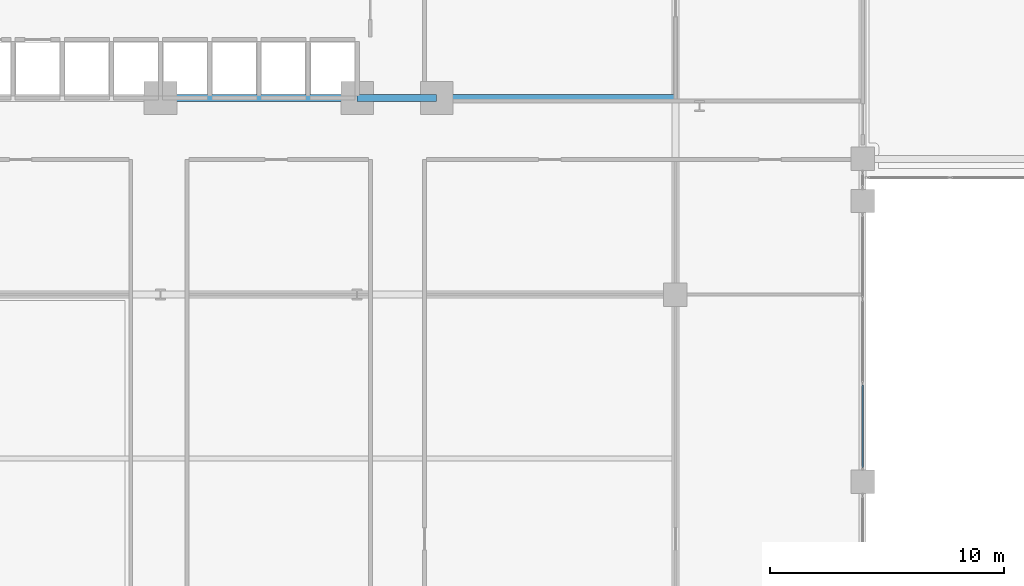
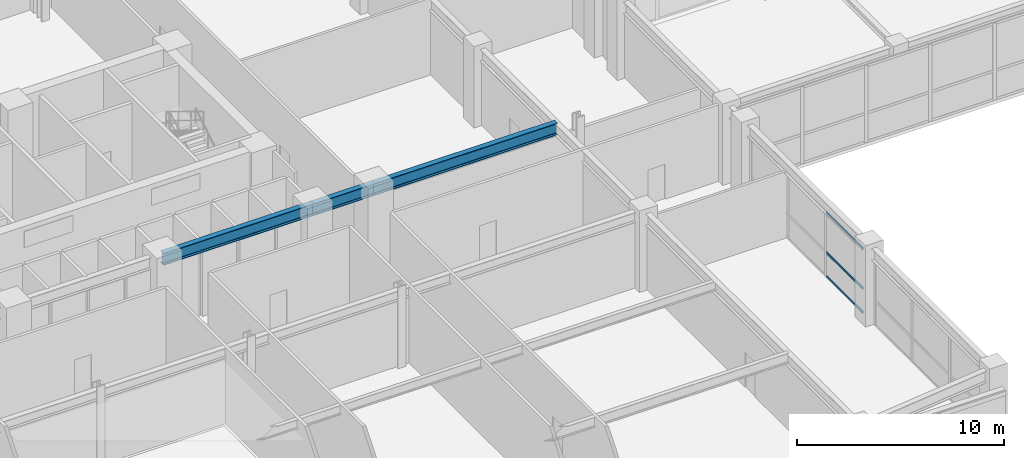
# One storey, part 14 of 48: 3 beams, 3 members, 1 element without a shape of its own.
"""IFC4 building model written with IfcOpenShell, lengths in metres."""

from ifc_helpers import new_model, si_unit, derived_unit, direction, frame, origin, origin_2d, place, context, subcontext, project, spatial, hollow_rectangle, i_section, extrude, source, transform, mapped, material, layer, layer_set, material_profile, profile_set, type_object, element, aggregate, save


model = new_model("IFC4")

# Units and contexts
model_context = context("Model", 3, precision=1e-05, world=origin(), true_north=direction((0.0, 1.0)))
body_context = subcontext(model_context, "Body", "Model", "MODEL_VIEW")
ifc_project = project(units=[si_unit("LENGTHUNIT", "METRE"), si_unit("AREAUNIT", "SQUARE_METRE"), si_unit("VOLUMEUNIT", "CUBIC_METRE"), si_unit("PLANEANGLEUNIT", "RADIAN"), si_unit("MASSUNIT", "GRAM", prefix="KILO"), derived_unit("THERMALTRANSMITTANCEUNIT", [(si_unit("POWERUNIT", "WATT"), 1), (si_unit("LENGTHUNIT", "METRE"), -2), (si_unit("THERMODYNAMICTEMPERATUREUNIT", "KELVIN"), -1)])], contexts=[model_context])

# Site, building, storey
site_placement = place(None, origin())
site = spatial("IfcSite", under=ifc_project, at=site_placement, CompositionType="ELEMENT")
building_placement = place(site_placement, origin())
building = spatial("IfcBuilding", under=site, at=building_placement, Name="Korsvarv Bourse and Concert Hall", CompositionType="ELEMENT")
storey_placement = place(building_placement, frame((0.0, 0.0, 4.800048828125)))
storey = spatial("IfcBuildingStorey", under=building, at=storey_placement, Name="L01", CompositionType="ELEMENT", Elevation=4.800048828125)

# Beams
ifc_material_1 = material(Name="Steel S355", Category="steel")
ifc_material_profile_1 = material_profile(ifc_material_1, i_section(OverallWidth=0.300048828125, OverallDepth=0.699951171875, WebThickness=0.01708984375, FlangeThickness=0.031982421875, FilletRadius=0.027099609375, at=origin_2d()), Name="HEB 700")
ifc_profile_set_1 = profile_set([ifc_material_profile_1], Name="Steel S355")
beam_type = type_object("IfcBeamType", Name="BM-HEB700", PredefinedType="BEAM", material=ifc_profile_set_1)
shared_shape_1 = source(origin(), body_context, "Body", "SweptSolid", [
    extrude(i_section(OverallWidth=0.300048828125, OverallDepth=0.699951171875, WebThickness=0.01708984375, FlangeThickness=0.031982421875, FilletRadius=0.027099609375, at=origin_2d()), origin(), (0.0, 0.0, 1.0), 8.39990234375),
])
beam_1_placement = place(storey_placement, frame((36.0, 32.39990234375, 4.169921875), z_axis=(1.0, 0.0, 0.0), x_axis=(0.0, 1.0, 0.0)))
element("IfcBeam", 1, at=beam_1_placement, inside=storey, type_object=beam_type, Name="L01 beam B-03", PredefinedType="BEAM", context=body_context, shape_type="MappedRepresentation", body=[
    mapped(shared_shape_1, transform((0.0, 0.0, 0.0), scale=1.0)),
])
shared_shape_2 = source(origin(), body_context, "Body", "SweptSolid", [
    extrude(i_section(OverallWidth=0.300048828125, OverallDepth=0.699951171875, WebThickness=0.01708984375, FlangeThickness=0.031982421875, FilletRadius=0.027099609375, at=origin_2d()), origin(), (0.0, 0.0, 1.0), 10.199951171875),
])
beam_2_placement = place(storey_placement, frame((47.800048828125, 32.39990234375, 4.169921875), z_axis=(1.0, 0.0, 0.0), x_axis=(0.0, 1.0, 0.0)))
element("IfcBeam", 2, at=beam_2_placement, inside=storey, type_object=beam_type, Name="L01 beam B-03", PredefinedType="BEAM", context=body_context, shape_type="MappedRepresentation", body=[
    mapped(shared_shape_2, transform((0.0, 0.0, 0.0), scale=1.0)),
])
shared_shape_3 = source(origin(), body_context, "Body", "SweptSolid", [
    extrude(i_section(OverallWidth=0.300048828125, OverallDepth=0.699951171875, WebThickness=0.01708984375, FlangeThickness=0.031982421875, FilletRadius=0.027099609375, at=origin_2d()), origin(), (0.0, 0.0, 1.0), 3.400146484375),
])
beam_3_placement = place(storey_placement, frame((44.39990234375, 32.39990234375, 4.169921875), z_axis=(1.0, 0.0, 0.0), x_axis=(0.0, 1.0, 0.0)))
element("IfcBeam", 3, at=beam_3_placement, inside=storey, type_object=beam_type, Name="L01 beam B-03", PredefinedType="BEAM", context=body_context, shape_type="MappedRepresentation", body=[
    mapped(shared_shape_3, transform((0.0, 0.0, 0.0), scale=1.0)),
])

# Curtain wall, members
ifc_material_2 = material(Name="Anodised aluminium and triple low-E glazing", Category="glass")
ifc_layer = layer(ifc_material_2, 0.239990234375)
ifc_layer_set = layer_set([ifc_layer], Name="Anodised aluminium and triple low-E glazing")
curtain_wall_type = type_object("IfcCurtainWallType", Name="CW-SYS-5", PredefinedType="NOTDEFINED", material=ifc_layer_set)
curtain_wall_placement = place(storey_placement, origin())
curtain_wall = element("IfcCurtainWall", 4, at=curtain_wall_placement, inside=storey, type_object=curtain_wall_type, Name="L01 CW5 curtain wall CW-L01-E2-1", PredefinedType="NOTDEFINED")
ifc_material_3 = material(Name="Extruded aluminium EN AW-6063 T66", Category="aluminium")
ifc_material_profile_2 = material_profile(ifc_material_3, hollow_rectangle(XDim=0.06494140625, YDim=0.139892578125, WallThickness=0.00390625, at=origin_2d()), Name="ALU-T 65x140")
ifc_profile_set_2 = profile_set([ifc_material_profile_2], Name="Extruded aluminium EN AW-6063 T66")
member_type = type_object("IfcMemberType", Name="CWT-140", PredefinedType="USERDEFINED", material=ifc_profile_set_2)
shared_shape_4 = source(origin(), body_context, "Body", "SweptSolid", [
    extrude(hollow_rectangle(XDim=0.06494140625, YDim=0.139892578125, WallThickness=0.00390625, at=origin_2d()), origin(), (0.0, 0.0, 1.0), 3.5283203125),
])
member_1_placement = place(storey_placement, frame((66.0, 16.6201171875, 0.032470703125), z_axis=(0.0, 1.0, 0.0), x_axis=(-1.0, 0.0, 0.0)))
member_1 = element("IfcMember", 5, at=member_1_placement, type_object=member_type, Name="CW5 transom 1.1", ObjectType="TRANSOM", PredefinedType="USERDEFINED", context=body_context, shape_type="MappedRepresentation", body=[
    mapped(shared_shape_4, transform((0.0, 0.0, 0.0), scale=1.0)),
])
member_2_placement = place(storey_placement, frame((66.0, 16.6201171875, 1.45166015625), z_axis=(0.0, 1.0, 0.0), x_axis=(-1.0, 0.0, 0.0)))
member_2 = element("IfcMember", 6, at=member_2_placement, type_object=member_type, Name="CW5 transom 1.2", ObjectType="TRANSOM", PredefinedType="USERDEFINED", context=body_context, shape_type="MappedRepresentation", body=[
    mapped(shared_shape_4, transform((0.0, 0.0, 0.0), scale=1.0)),
])
member_3_placement = place(storey_placement, frame((66.0, 16.6201171875, 3.787353515625), z_axis=(0.0, 1.0, 0.0), x_axis=(-1.0, 0.0, 0.0)))
member_3 = element("IfcMember", 7, at=member_3_placement, type_object=member_type, Name="CW5 transom 1.3", ObjectType="TRANSOM", PredefinedType="USERDEFINED", context=body_context, shape_type="MappedRepresentation", body=[
    mapped(shared_shape_4, transform((0.0, 0.0, 0.0), scale=1.0)),
])
aggregate(curtain_wall, [member_1, member_2, member_3])

save(model, "model.ifc")
